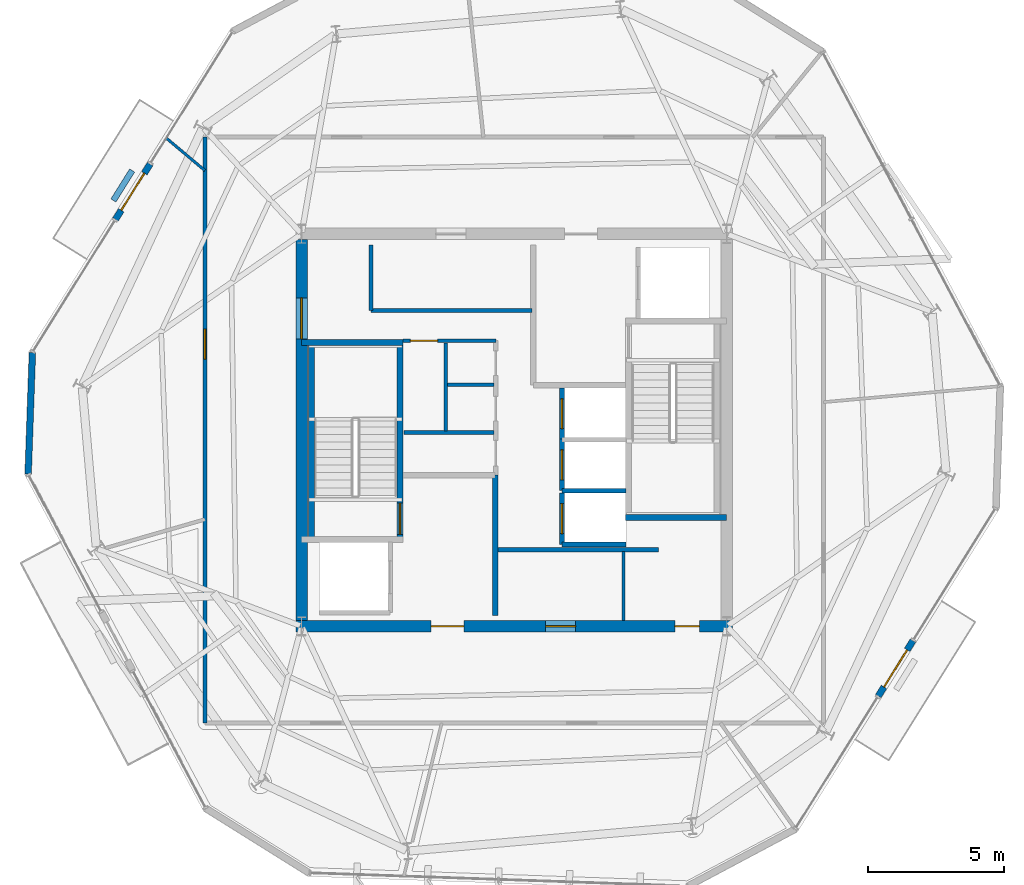
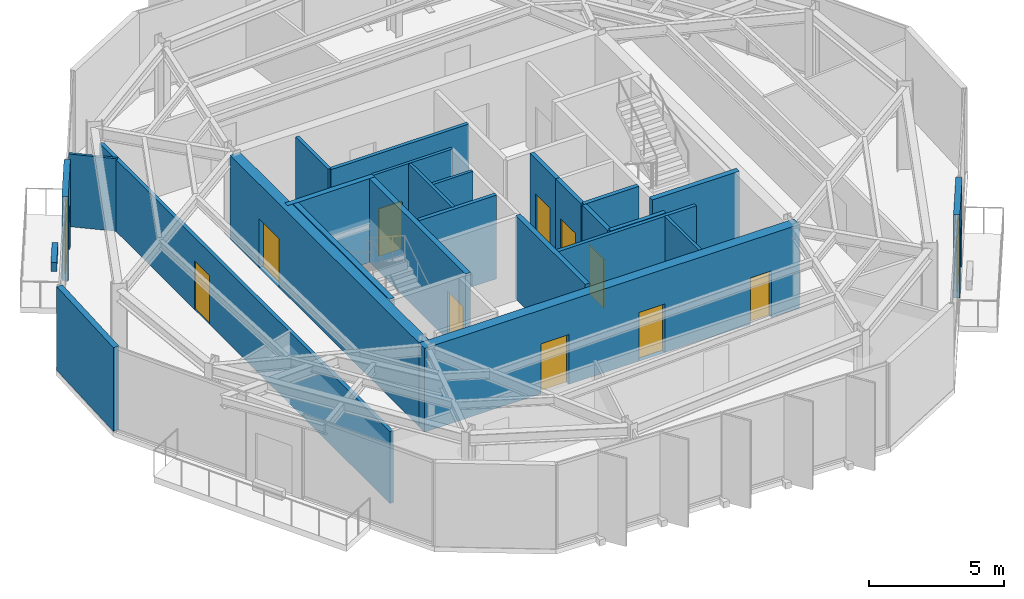
# One storey, part 7 of 12: 26 walls, 12 doors, 12 openings.
"""IFC4 building model written with IfcOpenShell, lengths in metres."""

import ifcopenshell
import ifcopenshell.guid

model = None  # the IFC model being written
_history = None  # IfcOwnerHistory: only IFC2X3 demands one
_inside = {}  # id of a spatial element -> (the spatial element, [elements in it])
_under = {}  # id of a project, library or spatial element -> (it, [spatial elements below it])
_declared = {}  # id of a project -> (the project, [libraries it declares])
_typed = {}  # id of a type object -> (the type object, [elements of that type])
_made_of = {}  # id of a material, layer set ... -> (it, [elements and type objects made of it])


def new_model(schema):
    """Start an empty IFC model of exactly this schema.

    Asked for "IFC4X3", IfcOpenShell would pick the latest addendum, in which some entities
    have other attributes; the version numbers below select the first issue.
    IFC2X3 requires an IfcOwnerHistory on every rooted entity: one is made here for all.
    """
    global model, _history
    if schema == "IFC4X3":
        model = ifcopenshell.file(schema_version=(4, 3, 0, 0))
    else:
        model = ifcopenshell.file(schema=schema)
    _inside.clear()
    _under.clear()
    _declared.clear()
    _typed.clear()
    _made_of.clear()
    _history = None
    if model.schema == "IFC2X3":
        org = make("IfcOrganization", Name="unknown")
        user = make(
            "IfcPersonAndOrganization",
            ThePerson=make("IfcPerson", FamilyName="unknown"),
            TheOrganization=org,
        )
        app = make(
            "IfcApplication",
            ApplicationDeveloper=org,
            Version="unknown",
            ApplicationFullName="unknown",
            ApplicationIdentifier="unknown",
        )
        _history = make(
            "IfcOwnerHistory",
            OwningUser=user,
            OwningApplication=app,
            ChangeAction="ADDED",
            CreationDate=0,
        )
    return model


def make(cls, **values):
    """One entity of the class cls with the attributes given. An attribute that is None is left unset."""
    return model.create_entity(
        cls, **{name: value for name, value in values.items() if value is not None}
    )


def rooted(cls, **values):
    """An entity with a GlobalId (a new one), such as an element, a storey or a relation."""
    return make(cls, GlobalId=ifcopenshell.guid.new(), OwnerHistory=_history, **values)


def si_unit(unit_type, name, prefix=None):
    """IfcSIUnit, for example si_unit("LENGTHUNIT", "METRE", prefix="MILLI")."""
    return make("IfcSIUnit", UnitType=unit_type, Prefix=prefix, Name=name)


def assignment(units):
    """IfcUnitAssignment: the units of a project."""
    return None if units is None else make("IfcUnitAssignment", Units=units)


def point(xyz):
    """IfcCartesianPoint."""
    return None if xyz is None else make("IfcCartesianPoint", Coordinates=xyz)


def direction(xyz):
    """IfcDirection."""
    return None if xyz is None else make("IfcDirection", DirectionRatios=xyz)


def frame(location, z_axis=None, x_axis=None):
    """IfcAxis2Placement3D, a coordinate frame: its origin and axes. An axis left out is left unset."""
    return make(
        "IfcAxis2Placement3D",
        Location=point(location),
        Axis=direction(z_axis),
        RefDirection=direction(x_axis),
    )


def frame_2d(location, x_axis=None):
    """IfcAxis2Placement2D, a coordinate frame in the plane: its origin and x axis."""
    return make(
        "IfcAxis2Placement2D", Location=point(location), RefDirection=direction(x_axis)
    )


def origin():
    """The frame at (0, 0, 0) with its axes left unset."""
    return frame((0.0, 0.0, 0.0))


def place(relative_to, where):
    """IfcLocalPlacement: puts the frame where relative to a parent placement (None: the world)."""
    return make(
        "IfcLocalPlacement", PlacementRelTo=relative_to, RelativePlacement=where
    )


def context(
    kind, dimensions, precision=None, world=None, true_north=None, identifier=None
):
    """IfcGeometricRepresentationContext, for example the 3D "Model" context."""
    return make(
        "IfcGeometricRepresentationContext",
        ContextIdentifier=identifier,
        ContextType=kind,
        CoordinateSpaceDimension=dimensions,
        Precision=precision,
        WorldCoordinateSystem=world,
        TrueNorth=true_north,
    )


def subcontext(parent, identifier, kind, view, scale=None):
    """IfcGeometricRepresentationSubContext, for example "Body" below "Model"."""
    return make(
        "IfcGeometricRepresentationSubContext",
        ContextIdentifier=identifier,
        ContextType=kind,
        ParentContext=parent,
        TargetScale=scale,
        TargetView=view,
    )


def project(units=None, contexts=None):
    """IfcProject with its units and contexts."""
    return rooted(
        "IfcProject",
        Name="project",
        RepresentationContexts=contexts,
        UnitsInContext=assignment(units),
    )


def spatial(cls, under=None, at=None, **own):
    """A site, building, storey or space (cls), placed at a placement, below another one or the project."""
    s = rooted(cls, ObjectPlacement=at, **own)
    if under is not None:
        _under.setdefault(under.id(), (under, []))[1].append(s)
    return s


def profile(cls, at=None, kind="AREA", **sizes):
    """A parametric profile (cls). Its sizes go by their IFC names, for example OverallWidth=200.0."""
    return make(cls, ProfileType=kind, Position=at, **sizes)


def rectangle(**sizes):
    """IfcRectangleProfileDef."""
    return profile("IfcRectangleProfileDef", **sizes)


def extrude(swept, where, along, depth):
    """IfcExtrudedAreaSolid: the profile swept, set in the frame where, extruded along a direction by depth."""
    return make(
        "IfcExtrudedAreaSolid",
        SweptArea=swept,
        Position=where,
        ExtrudedDirection=direction(along),
        Depth=depth,
    )


def shape(context_of_items, identifier, shape_type, items):
    """IfcShapeRepresentation: the items that make up one representation, for example the "Body"."""
    return make(
        "IfcShapeRepresentation",
        ContextOfItems=context_of_items,
        RepresentationIdentifier=identifier,
        RepresentationType=shape_type,
        Items=items,
    )


def material(Name=None, Category=None):
    """IfcMaterial."""
    return make("IfcMaterial", Name=Name, Category=Category)


def layer(
    of_material, thickness, ventilated=None, Name=None, Category=None, Priority=None
):
    """IfcMaterialLayer: one layer of a wall or slab, of a material (None: an air gap)."""
    return make(
        "IfcMaterialLayer",
        Material=of_material,
        LayerThickness=thickness,
        IsVentilated=ventilated,
        Name=Name,
        Category=Category,
        Priority=Priority,
    )


def layer_set(layers, Name=None):
    """IfcMaterialLayerSet."""
    return make("IfcMaterialLayerSet", MaterialLayers=layers, LayerSetName=Name)


def made_of(thing, what):
    """Note that an element or type object is made of a material, layer set ...; save() writes the relation."""
    if what is not None:
        _made_of.setdefault(what.id(), (what, []))[1].append(thing)
    return thing


def type_object(cls, material=None, **own):
    """A type object (cls), such as IfcWallType, which elements share."""
    return made_of(rooted(cls, **own), material)


def element(
    cls,
    number,
    at=None,
    inside=None,
    cuts=None,
    type_object=None,
    material=None,
    context=None,
    identifier="Body",
    shape_type=None,
    held_by="IfcProductDefinitionShape",
    body=None,
    shapes=None,
    **own,
):
    """One element of the class cls, such as IfcWall. Its Tag is "e" and its number.

    at: its placement. inside: the storey or other place that contains it. cuts: it is an
    opening in that element (IfcRelVoidsElement). A single representation is given by context,
    identifier, shape_type and body (its items); several are given by shapes. held_by: the class
    of the entity that holds the representations. save() writes the other relations.
    """
    e = rooted(cls, Tag="e%d" % number, ObjectPlacement=at, **own)
    if body is not None:
        shapes = [shape(context, identifier, shape_type, body)]
    if shapes is not None:
        e.Representation = make(held_by, Representations=shapes)
    if inside is not None:
        _inside.setdefault(inside.id(), (inside, []))[1].append(e)
    if cuts is not None:
        rooted(
            "IfcRelVoidsElement", RelatingBuildingElement=cuts, RelatedOpeningElement=e
        )
    if type_object is not None:
        _typed.setdefault(type_object.id(), (type_object, []))[1].append(e)
    return made_of(e, material)


def fill(opening, filler):
    """IfcRelFillsElement: the door or window that sits in an opening."""
    return rooted(
        "IfcRelFillsElement",
        RelatingOpeningElement=opening,
        RelatedBuildingElement=filler,
    )


def aggregate(whole, parts):
    """IfcRelAggregates: a whole, such as a stair, and the parts it consists of."""
    return rooted("IfcRelAggregates", RelatingObject=whole, RelatedObjects=parts)


def save(model, path):
    """Write the relations noted so far, then the file.

    IfcRelAggregates (storeys below a building ...), IfcRelContainedInSpatialStructure (elements
    in a storey), IfcRelDefinesByType, IfcRelAssociatesMaterial and IfcRelDeclares: one each for
    every whole, place, type object, material and project.
    """
    for whole, parts in _under.values():
        aggregate(whole, parts)
    for where, things in _inside.values():
        rooted(
            "IfcRelContainedInSpatialStructure",
            RelatedElements=things,
            RelatingStructure=where,
        )
    for kind, things in _typed.values():
        rooted("IfcRelDefinesByType", RelatedObjects=things, RelatingType=kind)
    for what, things in _made_of.values():
        rooted("IfcRelAssociatesMaterial", RelatedObjects=things, RelatingMaterial=what)
    for by, libraries in _declared.values():
        rooted("IfcRelDeclares", RelatingContext=by, RelatedDefinitions=libraries)
    model.write(path)


model = new_model("IFC4")

# Units and contexts
model_context = context("Model", 3, precision=1e-05, world=origin(), true_north=direction((0.0, 1.0)))
body_context = subcontext(model_context, "Body", "Model", "MODEL_VIEW")
ifc_project = project(units=[si_unit("LENGTHUNIT", "METRE"), si_unit("AREAUNIT", "SQUARE_METRE"), si_unit("VOLUMEUNIT", "CUBIC_METRE"), si_unit("PLANEANGLEUNIT", "RADIAN"), si_unit("MASSUNIT", "GRAM", prefix="KILO")], contexts=[model_context])

# Site, building, storey
site_placement = place(None, origin())
site = spatial("IfcSite", under=ifc_project, at=site_placement, CompositionType="ELEMENT")
building_placement = place(site_placement, origin())
building = spatial("IfcBuilding", under=site, at=building_placement, Name="Kranzbogen Civic Tower", CompositionType="ELEMENT")
storey_placement = place(building_placement, frame((0.0, 0.0, 258.199951171875)))
storey = spatial("IfcBuildingStorey", under=building, at=storey_placement, Name="L62", CompositionType="ELEMENT", Elevation=258.199951171875)

# Walls
ifc_material_1 = material(Name="Double-Stud Acoustic Gypsum Partition")
ifc_layer_1 = layer(ifc_material_1, 0.14990234375, Name="Double-Stud Acoustic Gypsum Partition")
ifc_layer_set_1 = layer_set([ifc_layer_1], Name="Double-Stud Acoustic Gypsum Partition")
wall_type_1 = type_object("IfcWallType", Name="Acoustic Corridor and Clinical Partition 150 mm", PredefinedType="PARTITIONING", material=ifc_layer_set_1)
wall_1_placement = place(storey_placement, frame((24.39990234375, 20.610107421875, 0.0), z_axis=(0.0, 0.0, 1.0), x_axis=(1.0, 0.0, 0.0)))
element("IfcWall", 1, at=wall_1_placement, inside=storey, type_object=wall_type_1, Name="L62 records zone North wall", PredefinedType="PARTITIONING", context=body_context, shape_type="SweptSolid", body=[
    extrude(rectangle(XDim=5.900146484375, YDim=0.14990234375, at=frame_2d((2.9501953125, 0.0))), origin(), (0.0, 0.0, 1.0), 3.780029296875),
])
wall_2_placement = place(storey_placement, frame((19.75, 29.389892578125, 0.0), z_axis=(0.0, 0.0, 1.0), x_axis=(1.0, 0.0, 0.0)))
element("IfcWall", 2, at=wall_2_placement, inside=storey, type_object=wall_type_1, Name="L62 digital comms South wall", PredefinedType="PARTITIONING", context=body_context, shape_type="SweptSolid", body=[
    extrude(rectangle(XDim=5.89990234375, YDim=0.14990234375, at=frame_2d((2.949951171875, 0.0))), origin(), (0.0, 0.0, 1.0), 3.780029296875),
])
wall_3_placement = place(storey_placement, frame((19.75, 29.389892578125, 0.0), z_axis=(0.0, 0.0, 1.0), x_axis=(0.0, 1.0, 0.0)))
element("IfcWall", 3, at=wall_3_placement, inside=storey, type_object=wall_type_1, Name="L62 digital comms West wall", PredefinedType="PARTITIONING", context=body_context, shape_type="SweptSolid", body=[
    extrude(rectangle(XDim=2.41015625, YDim=0.14990234375, at=frame_2d((1.205078125, 0.0))), origin(), (0.0, 0.0, 1.0), 3.780029296875),
])

# Wall, opening, door
wall_4_placement = place(storey_placement, frame((13.64990234375, 14.25, 0.0), z_axis=(0.0, 0.0, 1.0), x_axis=(0.0, 1.0, 0.0)))
wall_4 = element("IfcWall", 4, at=wall_4_placement, inside=storey, type_object=wall_type_1, Name="L62 corridor partition 04", PredefinedType="PARTITIONING", context=body_context, shape_type="SweptSolid", body=[
    extrude(rectangle(XDim=21.5, YDim=0.14990234375, at=frame_2d((10.75, 0.0))), origin(), (0.0, 0.0, 1.0), 3.25),
])
opening_1_placement = place(wall_4_placement, frame((13.35205078125, 0.0, 0.0)))
opening_1 = element("IfcOpeningElement", 5, at=opening_1_placement, cuts=wall_4, Name="Opening D-COR60", PredefinedType="OPENING", context=body_context, shape_type="SweptSolid", body=[
    extrude(rectangle(XDim=1.10009765625, YDim=2.199951171875, at=frame_2d((0.550048828125, 1.10009765625))), frame((0.0, 0.0849609375, 0.0), z_axis=(0.0, -1.0, 0.0), x_axis=(1.0, 0.0, 0.0)), (0.0, 0.0, 1.0), 0.169921875),
])
ifc_material_2 = material(Name="Oak Timber and Fire Core", Category="wood")
door_type_1 = type_object("IfcDoorType", Name="Corridor Acoustic Fire Door 1100x2200", OperationType="NOTDEFINED", PredefinedType="DOOR", material=ifc_material_2)
door_1_placement = place(opening_1_placement, origin())
door_1 = element("IfcDoor", 6, at=door_1_placement, inside=storey, type_object=door_type_1, Name="L62 Citizen Services Kiosk door", OperationType="SINGLE_SWING_RIGHT", OverallHeight=2.199951171875, OverallWidth=1.10009765625, PredefinedType="DOOR", context=body_context, shape_type="SweptSolid", body=[
    extrude(rectangle(XDim=1.10009765625, YDim=2.199951171875, at=frame_2d((0.550048828125, 1.10009765625))), frame((0.0, 0.02490234375, 0.0), z_axis=(0.0, -1.0, 0.0), x_axis=(1.0, 0.0, 0.0)), (0.0, 0.0, 1.0), 0.050048828125),
])
fill(opening_1, door_1)

ifc_material_3 = material(Name="Insulated Metal-Stud Gypsum Partition")
ifc_layer_2 = layer(ifc_material_3, 0.125, Name="Insulated Metal-Stud Gypsum Partition")
ifc_layer_set_2 = layer_set([ifc_layer_2], Name="Insulated Metal-Stud Gypsum Partition")
wall_type_2 = type_object("IfcWallType", Name="Acoustic Inter-Room Partition 125 mm", PredefinedType="PARTITIONING", material=ifc_layer_set_2)
wall_5_placement = place(storey_placement, frame((20.919921875, 28.280029296875, 0.0), z_axis=(0.0, 0.0, 1.0), x_axis=(1.0, 0.0, 0.0)))
wall_5 = element("IfcWall", 7, at=wall_5_placement, inside=storey, type_object=wall_type_2, Name="L62 core auxiliary North wall", PredefinedType="PARTITIONING", context=body_context, shape_type="SweptSolid", body=[
    extrude(rectangle(XDim=3.405029296875, YDim=0.125, at=frame_2d((1.70263671875, 0.0))), origin(), (0.0, 0.0, 1.0), 3.780029296875),
])
opening_2_placement = place(wall_5_placement, frame((0.27001953125, 0.0, 0.0)))
opening_2 = element("IfcOpeningElement", 8, at=opening_2_placement, cuts=wall_5, Name="Opening D-RSR10", PredefinedType="OPENING", context=body_context, shape_type="SweptSolid", body=[
    extrude(rectangle(XDim=1.0, YDim=2.14990234375, at=frame_2d((0.5, 1.074951171875))), frame((0.0, 0.072509765625, 0.0), z_axis=(0.0, -1.0, 0.0), x_axis=(1.0, 0.0, 0.0)), (0.0, 0.0, 1.0), 0.14501953125),
])
door_type_2 = type_object("IfcDoorType", Name="Core Archive and Riser Fire Door 1000x2150", OperationType="NOTDEFINED", PredefinedType="DOOR", material=ifc_material_2)
door_2_placement = place(opening_2_placement, origin())
door_2 = element("IfcDoor", 9, at=door_2_placement, inside=storey, type_object=door_type_2, Name="L62 Floor Supply Store door", OperationType="SINGLE_SWING_RIGHT", OverallHeight=2.14990234375, OverallWidth=1.0, PredefinedType="DOOR", context=body_context, shape_type="SweptSolid", body=[
    extrude(rectangle(XDim=1.0, YDim=2.14990234375, at=frame_2d((0.5, 1.074951171875))), frame((0.0, 0.02490234375, 0.0), z_axis=(0.0, -1.0, 0.0), x_axis=(1.0, 0.0, 0.0)), (0.0, 0.0, 1.0), 0.050048828125),
])
fill(opening_2, door_2)

# Walls
wall_6_placement = place(storey_placement, frame((29.010009765625, 18.010009765625, 0.0), z_axis=(0.0, 0.0, 1.0), x_axis=(0.0, 1.0, 0.0)))
element("IfcWall", 10, at=wall_6_placement, inside=storey, type_object=wall_type_2, Name="L62 core auxiliary partition 1", PredefinedType="PARTITIONING", context=body_context, shape_type="SweptSolid", body=[
    extrude(rectangle(XDim=2.5400390625, YDim=0.125, at=frame_2d((1.27001953125, 0.0))), origin(), (0.0, 0.0, 1.0), 3.780029296875),
])
wall_7_placement = place(storey_placement, frame((22.489990234375, 24.969970703125, 0.0), z_axis=(0.0, 0.0, 1.0), x_axis=(0.0, 1.0, 0.0)))
element("IfcWall", 11, at=wall_7_placement, inside=storey, type_object=wall_type_2, Name="L62 core auxiliary partition 3", PredefinedType="PARTITIONING", context=body_context, shape_type="SweptSolid", body=[
    extrude(rectangle(XDim=3.22998046875, YDim=0.125, at=frame_2d((1.614990234375, 0.0))), origin(), (0.0, 0.0, 1.0), 3.780029296875),
])
wall_8_placement = place(storey_placement, frame((22.550048828125, 26.659912109375, 0.0), z_axis=(0.0, 0.0, 1.0), x_axis=(1.0, 0.0, 0.0)))
element("IfcWall", 12, at=wall_8_placement, inside=storey, type_object=wall_type_2, Name="L62 core auxiliary partition 4", PredefinedType="PARTITIONING", context=body_context, shape_type="SweptSolid", body=[
    extrude(rectangle(XDim=1.699951171875, YDim=0.125, at=frame_2d((0.85009765625, 0.0))), origin(), (0.0, 0.0, 1.0), 3.780029296875),
])
ifc_material_4 = material(Name="Architectural Precast Terracotta Concrete C40/50", Category="masonry")
ifc_layer_3 = layer(ifc_material_4, 0.219970703125, Name="Architectural Precast Terracotta Concrete C40/50")
ifc_layer_set_3 = layer_set([ifc_layer_3], Name="Architectural Precast Terracotta Concrete C40/50")
wall_type_3 = type_object("IfcWallType", Name="Architectural Tree Planter Kerb Wall 220 mm", PredefinedType="USERDEFINED", material=ifc_layer_set_3)
wall_9_placement = place(storey_placement, frame((10.97998046875, 34.527099609375, 0.0), z_axis=(0.0, 0.0, 1.0), x_axis=(-0.52955968417, -0.848272680747, 0.0)))
element("IfcWall", 13, at=wall_9_placement, inside=storey, type_object=wall_type_3, Name="L62 landscaped tree balcony planter L62-TB2", ObjectType="PLANTER_WALL", PredefinedType="USERDEFINED", context=body_context, shape_type="SweptSolid", body=[
    extrude(rectangle(XDim=1.299072265625, YDim=0.219970703125, at=frame_2d((0.6494140625, 0.0))), origin(), (0.0, 0.0, 1.0), 0.400146484375),
])

# Wall, openings, doors
ifc_material_5 = material(Name="Concrete C45/55", Category="concrete")
ifc_layer_4 = layer(ifc_material_5, 0.419921875, Name="Concrete C45/55")
ifc_layer_set_4 = layer_set([ifc_layer_4], Name="Concrete C45/55")
wall_type_4 = type_object("IfcWallType", Name="Central Core Shear Wall 420 mm", PredefinedType="SHEAR", material=ifc_layer_set_4)
wall_10_placement = place(storey_placement, frame((16.989990234375, 17.800048828125, 0.0), z_axis=(0.0, 0.0, 1.0), x_axis=(1.0, 0.0, 0.0)))
wall_10 = element("IfcWall", 14, at=wall_10_placement, inside=storey, type_object=wall_type_4, Name="L62 central core South shear wall", PredefinedType="SHEAR", context=body_context, shape_type="SweptSolid", body=[
    extrude(rectangle(XDim=16.02001953125, YDim=0.419921875, at=frame_2d((8.010009765625, 0.0))), origin(), (0.0, 0.0, 1.0), 3.780029296875),
])
opening_3_placement = place(wall_10_placement, frame((4.9599609375, 0.0, 0.0)))
opening_3 = element("IfcOpeningElement", 15, at=opening_3_placement, cuts=wall_10, Name="Opening D-EX120", PredefinedType="OPENING", context=body_context, shape_type="SweptSolid", body=[
    extrude(rectangle(XDim=1.199951171875, YDim=2.25, at=frame_2d((0.60009765625, 1.125))), frame((0.0, 0.219970703125, 0.0), z_axis=(0.0, -1.0, 0.0), x_axis=(1.0, 0.0, 0.0)), (0.0, 0.0, 1.0), 0.43994140625),
])
opening_4_placement = place(wall_10_placement, frame((13.909912109375, 0.0, 0.0)))
opening_4 = element("IfcOpeningElement", 16, at=opening_4_placement, cuts=wall_10, Name="Opening D-WC90", PredefinedType="OPENING", context=body_context, shape_type="SweptSolid", body=[
    extrude(rectangle(XDim=0.89990234375, YDim=2.10009765625, at=frame_2d((0.449951171875, 1.050048828125))), frame((0.0, 0.219970703125, 0.0), z_axis=(0.0, -1.0, 0.0), x_axis=(1.0, 0.0, 0.0)), (0.0, 0.0, 1.0), 0.43994140625),
])
opening_5_placement = place(wall_10_placement, frame((9.159912109375, 0.0, 0.0)))
opening_5 = element("IfcOpeningElement", 17, at=opening_5_placement, cuts=wall_10, Name="Opening D-COR60", PredefinedType="OPENING", context=body_context, shape_type="SweptSolid", body=[
    extrude(rectangle(XDim=1.10009765625, YDim=2.199951171875, at=frame_2d((0.550048828125, 1.10009765625))), frame((0.0, 0.219970703125, 0.0), z_axis=(0.0, -1.0, 0.0), x_axis=(1.0, 0.0, 0.0)), (0.0, 0.0, 1.0), 0.43994140625),
])
door_3_placement = place(opening_5_placement, origin())
door_3 = element("IfcDoor", 18, at=door_3_placement, inside=storey, type_object=door_type_1, Name="L62 REC1 archive room door", OperationType="SINGLE_SWING_RIGHT", OverallHeight=2.199951171875, OverallWidth=1.10009765625, PredefinedType="DOOR", context=body_context, shape_type="SweptSolid", body=[
    extrude(rectangle(XDim=1.10009765625, YDim=2.199951171875, at=frame_2d((0.550048828125, 1.10009765625))), frame((0.0, 0.02490234375, 0.0), z_axis=(0.0, -1.0, 0.0), x_axis=(1.0, 0.0, 0.0)), (0.0, 0.0, 1.0), 0.050048828125),
])
fill(opening_5, door_3)
ifc_material_6 = material(Name="Steel S355", Category="steel")
door_type_3 = type_object("IfcDoorType", Name="Exit Passageway Fire Door 1200x2250", OperationType="NOTDEFINED", PredefinedType="DOOR", material=ifc_material_6)
door_4_placement = place(opening_3_placement, origin())
door_4 = element("IfcDoor", 19, at=door_4_placement, inside=storey, type_object=door_type_3, Name="L62 West firefighting lobby corridor door", OperationType="SINGLE_SWING_LEFT", OverallHeight=2.25, OverallWidth=1.199951171875, PredefinedType="DOOR", context=body_context, shape_type="SweptSolid", body=[
    extrude(rectangle(XDim=1.199951171875, YDim=2.25, at=frame_2d((0.60009765625, 1.125))), frame((0.0, 0.02490234375, 0.0), z_axis=(0.0, -1.0, 0.0), x_axis=(1.0, 0.0, 0.0)), (0.0, 0.0, 1.0), 0.050048828125),
])
fill(opening_3, door_4)
ifc_material_7 = material(Name="Moisture-Resistant Laminate")
door_type_4 = type_object("IfcDoorType", Name="Standard Restroom and Store Door 900x2100", OperationType="NOTDEFINED", PredefinedType="DOOR", material=ifc_material_7)
door_5_placement = place(opening_4_placement, origin())
door_5 = element("IfcDoor", 20, at=door_5_placement, inside=storey, type_object=door_type_4, Name="L62 East electrical riser access door", OperationType="SINGLE_SWING_LEFT", OverallHeight=2.10009765625, OverallWidth=0.89990234375, PredefinedType="DOOR", context=body_context, shape_type="SweptSolid", body=[
    extrude(rectangle(XDim=0.89990234375, YDim=2.10009765625, at=frame_2d((0.449951171875, 1.050048828125))), frame((0.0, 0.02490234375, 0.0), z_axis=(0.0, -1.0, 0.0), x_axis=(1.0, 0.0, 0.0)), (0.0, 0.0, 1.0), 0.050048828125),
])
fill(opening_4, door_5)

# Wall, opening, door
wall_11_placement = place(storey_placement, frame((17.199951171875, 31.989990234375, 0.0), z_axis=(0.0, 0.0, 1.0), x_axis=(0.0, -1.0, 0.0)))
wall_11 = element("IfcWall", 21, at=wall_11_placement, inside=storey, type_object=wall_type_4, Name="L62 central core West shear wall", PredefinedType="SHEAR", context=body_context, shape_type="SweptSolid", body=[
    extrude(rectangle(XDim=13.97998046875, YDim=0.419921875, at=frame_2d((6.989990234375, 0.0))), origin(), (0.0, 0.0, 1.0), 3.780029296875),
])
opening_6_placement = place(wall_11_placement, frame((2.139892578125, 0.0, 0.0)))
opening_6 = element("IfcOpeningElement", 22, at=opening_6_placement, cuts=wall_11, Name="Opening D-DBL15", PredefinedType="OPENING", context=body_context, shape_type="SweptSolid", body=[
    extrude(rectangle(XDim=1.5, YDim=2.199951171875, at=frame_2d((0.75, 1.10009765625))), frame((0.0, 0.219970703125, 0.0), z_axis=(0.0, -1.0, 0.0), x_axis=(1.0, 0.0, 0.0)), (0.0, 0.0, 1.0), 0.43994140625),
])
ifc_material_8 = material(Name="Anodised Bronze and Glass", Category="glass")
door_type_5 = type_object("IfcDoorType", Name="Civic Lobby Double Door 1500x2200", OperationType="DOUBLE_DOOR_SINGLE_SWING", PredefinedType="DOOR", material=ifc_material_8)
door_6_placement = place(opening_6_placement, origin())
door_6 = element("IfcDoor", 23, at=door_6_placement, inside=storey, type_object=door_type_5, Name="L62 Central Lift Lobby West concourse door", OperationType="DOUBLE_DOOR_SINGLE_SWING", OverallHeight=2.199951171875, OverallWidth=1.5, PredefinedType="DOOR", context=body_context, shape_type="SweptSolid", body=[
    extrude(rectangle(XDim=1.5, YDim=2.199951171875, at=frame_2d((0.75, 1.10009765625))), frame((0.0, 0.02490234375, 0.0), z_axis=(0.0, -1.0, 0.0), x_axis=(1.0, 0.0, 0.0)), (0.0, 0.0, 1.0), 0.050048828125),
])
fill(opening_6, door_6)

ifc_layer_5 = layer(ifc_material_5, 0.219970703125, Name="Concrete C45/55")
ifc_layer_set_5 = layer_set([ifc_layer_5], Name="Concrete C45/55")
wall_type_5 = type_object("IfcWallType", Name="Core Internal Stair Structural Wall 220 mm", PredefinedType="SOLIDWALL", material=ifc_layer_set_5)
wall_12_placement = place(storey_placement, frame((20.81005859375, 20.989990234375, 0.0), z_axis=(0.0, 0.0, 1.0), x_axis=(0.0, 1.0, 0.0)))
wall_12 = element("IfcWall", 24, at=wall_12_placement, inside=storey, type_object=wall_type_5, Name="L62 ST-T1 East structural stair wall", PredefinedType="SOLIDWALL", context=body_context, shape_type="SweptSolid", body=[
    extrude(rectangle(XDim=7.219970703125, YDim=0.219970703125, at=frame_2d((3.60986328125, 0.0))), origin(), (0.0, 0.0, 1.0), 3.780029296875),
])
opening_7_placement = place(wall_12_placement, frame((0.179931640625, 0.0, 0.0)))
opening_7 = element("IfcOpeningElement", 25, at=opening_7_placement, cuts=wall_12, Name="Opening D-ST90", PredefinedType="OPENING", context=body_context, shape_type="SweptSolid", body=[
    extrude(rectangle(XDim=1.14990234375, YDim=2.199951171875, at=frame_2d((0.574951171875, 1.10009765625))), frame((0.0, 0.1201171875, 0.0), z_axis=(0.0, -1.0, 0.0), x_axis=(1.0, 0.0, 0.0)), (0.0, 0.0, 1.0), 0.239990234375),
])
door_type_6 = type_object("IfcDoorType", Name="Pressurized Stair and Lobby Fire Door 1150x2200", OperationType="NOTDEFINED", PredefinedType="DOOR", material=ifc_material_6)
door_7_placement = place(opening_7_placement, origin())
door_7 = element("IfcDoor", 26, at=door_7_placement, inside=storey, type_object=door_type_6, Name="L62 Stair ST-T1 fire door", OperationType="SINGLE_SWING_LEFT", OverallHeight=2.199951171875, OverallWidth=1.14990234375, PredefinedType="DOOR", context=body_context, shape_type="SweptSolid", body=[
    extrude(rectangle(XDim=1.14990234375, YDim=2.199951171875, at=frame_2d((0.574951171875, 1.10009765625))), frame((0.0, 0.02490234375, 0.0), z_axis=(0.0, -1.0, 0.0), x_axis=(1.0, 0.0, 0.0)), (0.0, 0.0, 1.0), 0.050048828125),
])
fill(opening_7, door_7)

# Walls
wall_13_placement = place(storey_placement, frame((17.199951171875, 28.2099609375, 0.0), z_axis=(0.0, 0.0, 1.0), x_axis=(1.0, 0.0, 0.0)))
element("IfcWall", 27, at=wall_13_placement, inside=storey, type_object=wall_type_5, Name="L62 ST-T1 North structural stair wall", PredefinedType="SOLIDWALL", context=body_context, shape_type="SweptSolid", body=[
    extrude(rectangle(XDim=3.719970703125, YDim=0.219970703125, at=frame_2d((1.85986328125, 0.0))), origin(), (0.0, 0.0, 1.0), 3.780029296875),
])
wall_14_placement = place(storey_placement, frame((17.554931640625, 28.2099609375, 0.0), z_axis=(0.0, 0.0, 1.0), x_axis=(0.0, -1.0, 0.0)))
element("IfcWall", 28, at=wall_14_placement, inside=storey, type_object=wall_type_5, Name="L62 ST-T1 West structural stair wall", PredefinedType="SOLIDWALL", context=body_context, shape_type="SweptSolid", body=[
    extrude(rectangle(XDim=7.219970703125, YDim=0.219970703125, at=frame_2d((3.60986328125, 0.0))), origin(), (0.0, 0.0, 1.0), 3.780029296875),
])
wall_15_placement = place(storey_placement, frame((29.080078125, 21.7900390625, 0.0), z_axis=(0.0, 0.0, 1.0), x_axis=(1.0, 0.0, 0.0)))
element("IfcWall", 29, at=wall_15_placement, inside=storey, type_object=wall_type_5, Name="L62 ST-T2 South structural stair wall", PredefinedType="SOLIDWALL", context=body_context, shape_type="SweptSolid", body=[
    extrude(rectangle(XDim=3.719970703125, YDim=0.219970703125, at=frame_2d((1.85986328125, 0.0))), origin(), (0.0, 0.0, 1.0), 3.780029296875),
])
ifc_material_9 = material(Name="Demountable Aluminium and Gypsum Partition", Category="aluminium")
ifc_layer_6 = layer(ifc_material_9, 0.10009765625, Name="Demountable Aluminium and Gypsum Partition")
ifc_layer_set_6 = layer_set([ifc_layer_6], Name="Demountable Aluminium and Gypsum Partition")
wall_type_6 = type_object("IfcWallType", Name="Demountable Office Partition 100 mm", PredefinedType="MOVABLE", material=ifc_layer_set_6)
wall_16_placement = place(storey_placement, frame((13.64990234375, 34.52587890625, 0.0), z_axis=(0.0, 0.0, 1.0), x_axis=(-0.76596722559, 0.64287962273, 0.0)))
element("IfcWall", 30, at=wall_16_placement, inside=storey, type_object=wall_type_6, Name="L62 radial room partition 02", PredefinedType="MOVABLE", context=body_context, shape_type="SweptSolid", body=[
    extrude(rectangle(XDim=1.832763671875, YDim=0.10009765625, at=frame_2d((0.91650390625, 0.0))), origin(), (0.0, 0.0, 1.0), 3.280029296875),
])
ifc_material_10 = material(Name="Gypsum Fireboard and Concrete Block", Category="concrete")
ifc_layer_7 = layer(ifc_material_10, 0.199951171875, Name="Gypsum Fireboard and Concrete Block")
ifc_layer_set_7 = layer_set([ifc_layer_7], Name="Gypsum Fireboard and Concrete Block")
wall_type_7 = type_object("IfcWallType", Name="Fire-Rated Exit Passageway and Stair Wall 200 mm", PredefinedType="PARTITIONING", material=ifc_layer_set_7)
wall_17_placement = place(storey_placement, frame((24.300048828125, 18.199951171875, 0.0), z_axis=(0.0, 0.0, 1.0), x_axis=(0.0, 1.0, 0.0)))
element("IfcWall", 31, at=wall_17_placement, inside=storey, type_object=wall_type_7, Name="L62 West firefighting lobby East wall", PredefinedType="PARTITIONING", context=body_context, shape_type="SweptSolid", body=[
    extrude(rectangle(XDim=5.150146484375, YDim=0.199951171875, at=frame_2d((2.5751953125, 0.0))), origin(), (0.0, 0.0, 1.0), 3.780029296875),
])

# Wall, opening, door
ifc_material_11 = material(Name="Gypsum Fireboard Shaftliner")
ifc_layer_8 = layer(ifc_material_11, 0.175048828125, Name="Gypsum Fireboard Shaftliner")
ifc_layer_set_8 = layer_set([ifc_layer_8], Name="Gypsum Fireboard Shaftliner")
wall_type_8 = type_object("IfcWallType", Name="Fire-Rated Lift and Service Shaft Wall 175 mm", PredefinedType="PARTITIONING", material=ifc_layer_set_8)
wall_18_placement = place(storey_placement, frame((26.75, 20.800048828125, 0.0), z_axis=(0.0, 0.0, 1.0), x_axis=(0.0, 1.0, 0.0)))
wall_18 = element("IfcWall", 32, at=wall_18_placement, inside=storey, type_object=wall_type_8, Name="L62 lift HP-01 landing wall", PredefinedType="PARTITIONING", context=body_context, shape_type="SweptSolid", body=[
    extrude(rectangle(XDim=1.89990234375, YDim=0.175048828125, at=frame_2d((0.949951171875, 0.0))), origin(), (0.0, 0.0, 1.0), 3.780029296875),
])
opening_8_placement = place(wall_18_placement, frame((0.39990234375, 0.0, 0.0)))
opening_8 = element("IfcOpeningElement", 33, at=opening_8_placement, cuts=wall_18, Name="Opening LD-HP-01", PredefinedType="OPENING", context=body_context, shape_type="SweptSolid", body=[
    extrude(rectangle(XDim=1.10009765625, YDim=2.199951171875, at=frame_2d((0.550048828125, 1.10009765625))), frame((0.0, 0.09765625, 0.0), z_axis=(0.0, -1.0, 0.0), x_axis=(1.0, 0.0, 0.0)), (0.0, 0.0, 1.0), 0.195068359375),
])
ifc_material_12 = material(Name="Pale Anodised Aluminium", Category="aluminium")
door_type_7 = type_object("IfcDoorType", Name="Passenger Lift Sliding Landing Door 1100x2200", OperationType="DOUBLE_DOOR_SLIDING", PredefinedType="DOOR", material=ifc_material_12)
door_8_placement = place(opening_8_placement, origin())
door_8 = element("IfcDoor", 34, at=door_8_placement, inside=storey, type_object=door_type_7, Name="L62 lift HP-01 sliding landing door", OperationType="DOUBLE_DOOR_SLIDING", OverallHeight=2.199951171875, OverallWidth=1.10009765625, PredefinedType="DOOR", context=body_context, shape_type="SweptSolid", body=[
    extrude(rectangle(XDim=1.10009765625, YDim=2.199951171875, at=frame_2d((0.550048828125, 1.10009765625))), frame((0.0, 0.02490234375, 0.0), z_axis=(0.0, -1.0, 0.0), x_axis=(1.0, 0.0, 0.0)), (0.0, 0.0, 1.0), 0.050048828125),
])
fill(opening_8, door_8)

# Wall
wall_19_placement = place(storey_placement, frame((26.75, 20.800048828125, 0.0), z_axis=(0.0, 0.0, 1.0), x_axis=(1.0, 0.0, 0.0)))
element("IfcWall", 35, at=wall_19_placement, inside=storey, type_object=wall_type_8, Name="L62 lift HP-01 side wall", PredefinedType="PARTITIONING", context=body_context, shape_type="SweptSolid", body=[
    extrude(rectangle(XDim=2.35009765625, YDim=0.175048828125, at=frame_2d((1.175048828125, 0.0))), origin(), (0.0, 0.0, 1.0), 3.780029296875),
])

# Wall, opening, door
wall_20_placement = place(storey_placement, frame((26.75, 22.77490234375, 0.0), z_axis=(0.0, 0.0, 1.0), x_axis=(0.0, 1.0, 0.0)))
wall_20 = element("IfcWall", 36, at=wall_20_placement, inside=storey, type_object=wall_type_8, Name="L62 lift HP-02 landing wall", PredefinedType="PARTITIONING", context=body_context, shape_type="SweptSolid", body=[
    extrude(rectangle(XDim=1.900146484375, YDim=0.175048828125, at=frame_2d((0.9501953125, 0.0))), origin(), (0.0, 0.0, 1.0), 3.780029296875),
])
opening_9_placement = place(wall_20_placement, frame((0.39990234375, 0.0, 0.0)))
opening_9 = element("IfcOpeningElement", 37, at=opening_9_placement, cuts=wall_20, Name="Opening LD-HP-02", PredefinedType="OPENING", context=body_context, shape_type="SweptSolid", body=[
    extrude(rectangle(XDim=1.10009765625, YDim=2.199951171875, at=frame_2d((0.550048828125, 1.10009765625))), frame((0.0, 0.09765625, 0.0), z_axis=(0.0, -1.0, 0.0), x_axis=(1.0, 0.0, 0.0)), (0.0, 0.0, 1.0), 0.195068359375),
])
door_9_placement = place(opening_9_placement, origin())
door_9 = element("IfcDoor", 38, at=door_9_placement, inside=storey, type_object=door_type_7, Name="L62 lift HP-02 sliding landing door", OperationType="DOUBLE_DOOR_SLIDING", OverallHeight=2.199951171875, OverallWidth=1.10009765625, PredefinedType="DOOR", context=body_context, shape_type="SweptSolid", body=[
    extrude(rectangle(XDim=1.10009765625, YDim=2.199951171875, at=frame_2d((0.550048828125, 1.10009765625))), frame((0.0, 0.02490234375, 0.0), z_axis=(0.0, -1.0, 0.0), x_axis=(1.0, 0.0, 0.0)), (0.0, 0.0, 1.0), 0.050048828125),
])
fill(opening_9, door_9)

# Wall
wall_21_placement = place(storey_placement, frame((26.75, 22.77490234375, 0.0), z_axis=(0.0, 0.0, 1.0), x_axis=(1.0, 0.0, 0.0)))
element("IfcWall", 39, at=wall_21_placement, inside=storey, type_object=wall_type_8, Name="L62 lift HP-02 side wall", PredefinedType="PARTITIONING", context=body_context, shape_type="SweptSolid", body=[
    extrude(rectangle(XDim=2.35009765625, YDim=0.175048828125, at=frame_2d((1.175048828125, 0.0))), origin(), (0.0, 0.0, 1.0), 3.780029296875),
])

# Wall, opening, door
wall_22_placement = place(storey_placement, frame((26.75, 24.64990234375, 0.0), z_axis=(0.0, 0.0, 1.0), x_axis=(0.0, 1.0, 0.0)))
wall_22 = element("IfcWall", 40, at=wall_22_placement, inside=storey, type_object=wall_type_8, Name="L62 lift HP-03 landing wall", PredefinedType="PARTITIONING", context=body_context, shape_type="SweptSolid", body=[
    extrude(rectangle(XDim=1.900146484375, YDim=0.175048828125, at=frame_2d((0.9501953125, 0.0))), origin(), (0.0, 0.0, 1.0), 3.780029296875),
])
opening_10_placement = place(wall_22_placement, frame((0.39990234375, 0.0, 0.0)))
opening_10 = element("IfcOpeningElement", 41, at=opening_10_placement, cuts=wall_22, Name="Opening LD-HP-03", PredefinedType="OPENING", context=body_context, shape_type="SweptSolid", body=[
    extrude(rectangle(XDim=1.10009765625, YDim=2.199951171875, at=frame_2d((0.550048828125, 1.10009765625))), frame((0.0, 0.09765625, 0.0), z_axis=(0.0, -1.0, 0.0), x_axis=(1.0, 0.0, 0.0)), (0.0, 0.0, 1.0), 0.195068359375),
])
door_10_placement = place(opening_10_placement, origin())
door_10 = element("IfcDoor", 42, at=door_10_placement, inside=storey, type_object=door_type_7, Name="L62 lift HP-03 sliding landing door", OperationType="DOUBLE_DOOR_SLIDING", OverallHeight=2.199951171875, OverallWidth=1.10009765625, PredefinedType="DOOR", context=body_context, shape_type="SweptSolid", body=[
    extrude(rectangle(XDim=1.10009765625, YDim=2.199951171875, at=frame_2d((0.550048828125, 1.10009765625))), frame((0.0, 0.02490234375, 0.0), z_axis=(0.0, -1.0, 0.0), x_axis=(1.0, 0.0, 0.0)), (0.0, 0.0, 1.0), 0.050048828125),
])
fill(opening_10, door_10)

ifc_layer_9 = layer(ifc_material_12, 0.239990234375, Name="Pale Anodised Aluminium")
ifc_layer_set_9 = layer_set([ifc_layer_9], Name="Pale Anodised Aluminium")
wall_type_9 = type_object("IfcWallType", Name="Insulated Aluminium Facade Portal Wall 240 mm", PredefinedType="STANDARD", material=ifc_layer_set_9)
wall_23_placement = place(storey_placement, frame((11.638916015625, 34.763916015625, 0.0), z_axis=(0.0, 0.0, 1.0), x_axis=(-0.529751954381, -0.84815262001, 0.0)))
wall_23 = element("IfcWall", 43, at=wall_23_placement, inside=storey, type_object=wall_type_9, Name="L62 exterior entrance portal wall 1", PredefinedType="STANDARD", context=body_context, shape_type="SweptSolid", body=[
    extrude(rectangle(XDim=2.399169921875, YDim=0.239990234375, at=frame_2d((1.19970703125, 0.0))), origin(), (0.0, 0.0, 1.0), 3.780029296875),
])
opening_11_placement = place(wall_23_placement, frame((0.39990234375, 0.0, 0.0)))
opening_11 = element("IfcOpeningElement", 44, at=opening_11_placement, cuts=wall_23, Name="Opening D-TER", PredefinedType="OPENING", context=body_context, shape_type="SweptSolid", body=[
    extrude(rectangle(XDim=1.60009765625, YDim=2.25, at=frame_2d((0.800048828125, 1.125))), frame((0.0, 0.1298828125, 0.0), z_axis=(0.0, -1.0, 0.0), x_axis=(1.0, 0.0, 0.0)), (0.0, 0.0, 1.0), 0.260009765625),
])
ifc_material_13 = material(Name="Anodised Bronze and Triple Glass", Category="glass")
door_type_8 = type_object("IfcDoorType", Name="Glazed Terrace and Balcony Double Door 1600x2250", OperationType="DOUBLE_DOOR_SINGLE_SWING", PredefinedType="DOOR", material=ifc_material_13)
door_11_placement = place(opening_11_placement, frame((1.60009765625, 0.0, 0.0), z_axis=(0.0, 0.0, 1.0), x_axis=(-1.0, 0.0, 0.0)))
door_11 = element("IfcDoor", 45, at=door_11_placement, inside=storey, type_object=door_type_8, Name="L62 tree balcony access door L62-TB2", OperationType="DOUBLE_DOOR_SINGLE_SWING", OverallHeight=2.25, OverallWidth=1.60009765625, PredefinedType="DOOR", context=body_context, shape_type="SweptSolid", body=[
    extrude(rectangle(XDim=1.60009765625, YDim=2.25, at=frame_2d((0.800048828125, 1.125))), frame((0.0, 0.02490234375, 0.0), z_axis=(0.0, -1.0, 0.0), x_axis=(1.0, 0.0, 0.0)), (0.0, 0.0, 1.0), 0.050048828125),
])
fill(opening_11, door_11)

# Wall
wall_24_placement = place(storey_placement, frame((7.320068359375, 27.85205078125, 0.0), z_axis=(0.0, 0.0, 1.0), x_axis=(-0.034932990029, -0.999389656844, 0.0)))
element("IfcWall", 46, at=wall_24_placement, inside=storey, type_object=wall_type_9, Name="L62 chamfered corner facade spandrel 2", PredefinedType="STANDARD", context=body_context, shape_type="SweptSolid", body=[
    extrude(rectangle(XDim=4.4658203125, YDim=0.239990234375, at=frame_2d((2.23291015625, 0.0))), origin(), (0.0, 0.0, 1.0), 3.780029296875),
])

# Wall, opening, door
wall_25_placement = place(storey_placement, frame((38.361083984375, 15.237060546875, 0.0), z_axis=(0.0, 0.0, 1.0), x_axis=(0.530044663287, 0.847969725239, 0.0)))
wall_25 = element("IfcWall", 47, at=wall_25_placement, inside=storey, type_object=wall_type_9, Name="L62 exterior entrance portal wall 1", PredefinedType="STANDARD", context=body_context, shape_type="SweptSolid", body=[
    extrude(rectangle(XDim=2.399658203125, YDim=0.239990234375, at=frame_2d((1.19970703125, 0.0))), origin(), (0.0, 0.0, 1.0), 3.780029296875),
])
opening_12_placement = place(wall_25_placement, frame((0.39990234375, 0.0, 0.0)))
opening_12 = element("IfcOpeningElement", 48, at=opening_12_placement, cuts=wall_25, Name="Opening D-TER", PredefinedType="OPENING", context=body_context, shape_type="SweptSolid", body=[
    extrude(rectangle(XDim=1.60009765625, YDim=2.25, at=frame_2d((0.800048828125, 1.125))), frame((0.0, 0.1298828125, 0.0), z_axis=(0.0, -1.0, 0.0), x_axis=(1.0, 0.0, 0.0)), (0.0, 0.0, 1.0), 0.260009765625),
])
door_12_placement = place(opening_12_placement, frame((1.60009765625, 0.0, 0.0), z_axis=(0.0, 0.0, 1.0), x_axis=(-1.0, 0.0, 0.0)))
door_12 = element("IfcDoor", 49, at=door_12_placement, inside=storey, type_object=door_type_8, Name="L62 tree balcony access door L62-TB1", OperationType="DOUBLE_DOOR_SINGLE_SWING", OverallHeight=2.25, OverallWidth=1.60009765625, PredefinedType="DOOR", context=body_context, shape_type="SweptSolid", body=[
    extrude(rectangle(XDim=1.60009765625, YDim=2.25, at=frame_2d((0.800048828125, 1.125))), frame((0.0, 0.02490234375, 0.0), z_axis=(0.0, -1.0, 0.0), x_axis=(1.0, 0.0, 0.0)), (0.0, 0.0, 1.0), 0.050048828125),
])
fill(opening_12, door_12)

# Wall
ifc_material_14 = material(Name="Moisture-Resistant Gypsum Assembly")
ifc_layer_10 = layer(ifc_material_14, 0.159912109375, Name="Moisture-Resistant Gypsum Assembly")
ifc_layer_set_10 = layer_set([ifc_layer_10], Name="Moisture-Resistant Gypsum Assembly")
wall_type_10 = type_object("IfcWallType", Name="Sanitary and Plumbing Wet Wall 160 mm", PredefinedType="PLUMBINGWALL", material=ifc_layer_set_10)
wall_26_placement = place(storey_placement, frame((20.949951171875, 24.909912109375, 0.0), z_axis=(0.0, 0.0, 1.0), x_axis=(1.0, 0.0, 0.0)))
element("IfcWall", 50, at=wall_26_placement, inside=storey, type_object=wall_type_10, Name="L62 core auxiliary partition 2", PredefinedType="PLUMBINGWALL", context=body_context, shape_type="SweptSolid", body=[
    extrude(rectangle(XDim=3.300048828125, YDim=0.159912109375, at=frame_2d((1.64990234375, 0.0))), origin(), (0.0, 0.0, 1.0), 3.780029296875),
])

save(model, "model.ifc")
